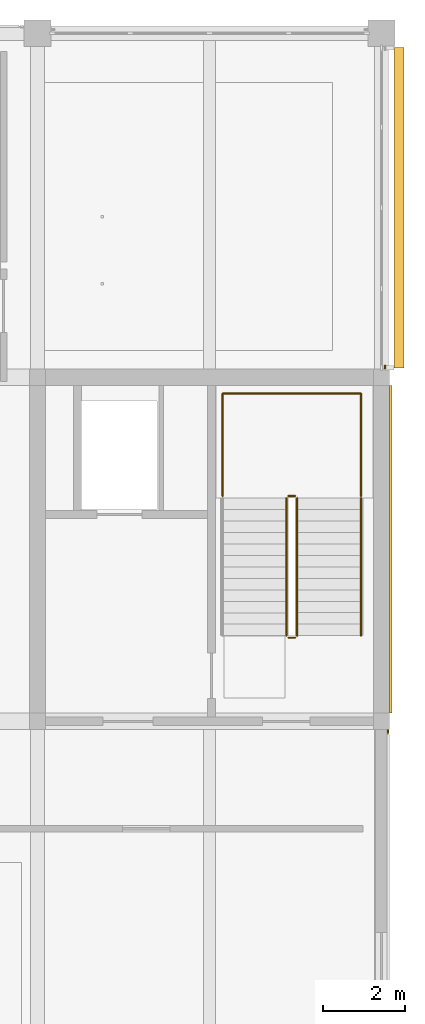
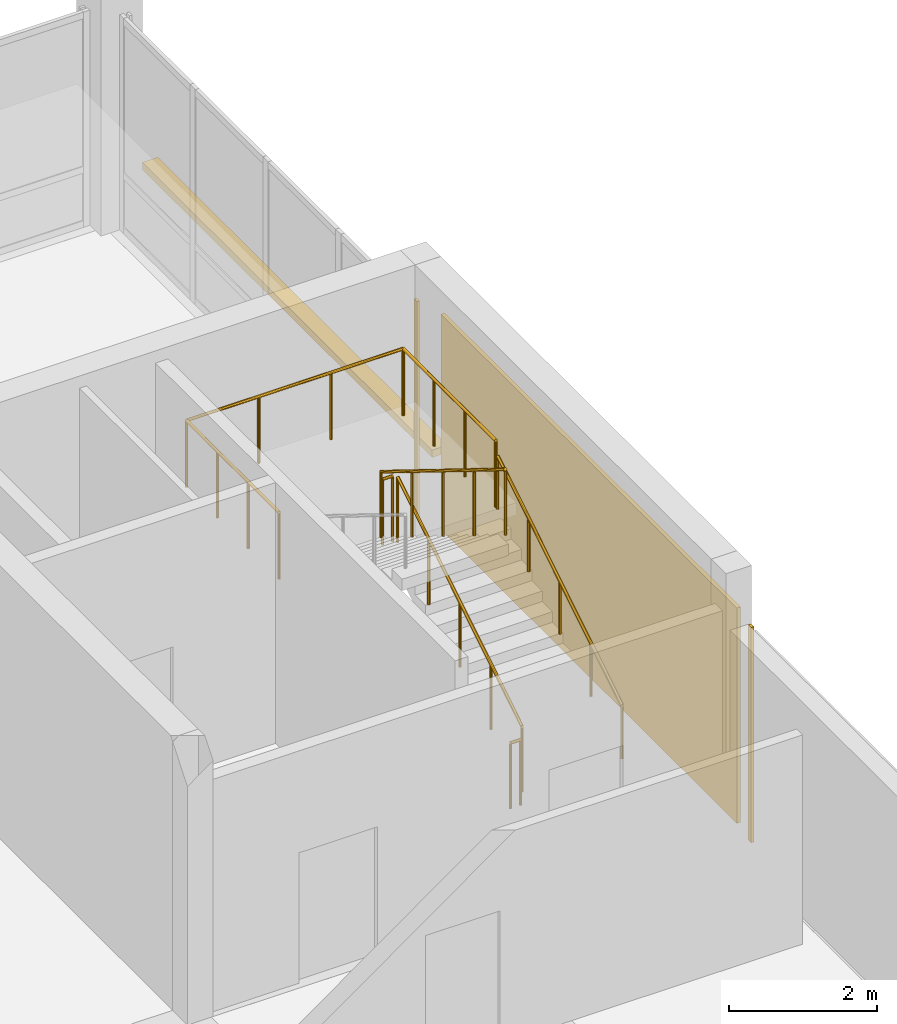
# One storey, part 25 of 28: 6 railings, 3 coverings, 1 shading device.
"""IFC4 building model written with IfcOpenShell, lengths in metres."""

from ifc_helpers import new_model, si_unit, direction, frame, origin, origin_2d, place, context, subcontext, project, spatial, rectangle, circle, extrude, material, layer, layer_set, type_object, element, save


model = new_model("IFC4")

# Units and contexts
model_context = context("Model", 3, precision=1e-05, world=origin(), true_north=direction((0.0, 1.0)))
body_context = subcontext(model_context, "Body", "Model", "MODEL_VIEW")
ifc_project = project(units=[si_unit("LENGTHUNIT", "METRE"), si_unit("AREAUNIT", "SQUARE_METRE"), si_unit("VOLUMEUNIT", "CUBIC_METRE"), si_unit("PLANEANGLEUNIT", "RADIAN"), si_unit("MASSUNIT", "GRAM", prefix="KILO")], contexts=[model_context])

# Site, building, storey
site_placement = place(None, origin())
site = spatial("IfcSite", under=ifc_project, at=site_placement, CompositionType="ELEMENT")
building_placement = place(site_placement, origin())
building = spatial("IfcBuilding", under=site, at=building_placement, Name="Telukmera Botanical Conservatory", CompositionType="ELEMENT")
storey_placement = place(building_placement, frame((0.0, 0.0, 51.0)))
storey = spatial("IfcBuildingStorey", under=building, at=storey_placement, Name="L11", CompositionType="ELEMENT", Elevation=51.0)

# Coverings
ifc_material_1 = material(Name="Granite-faced precast concrete C40/50", Category="masonry")
ifc_layer_1 = layer(ifc_material_1, 0.0400390625)
ifc_layer_set_1 = layer_set([ifc_layer_1], Name="Granite-faced precast concrete C40/50")
covering_type_1 = type_object("IfcCoveringType", Name="Granite Precast Column Pier Reveal Casing", PredefinedType="CLADDING", material=ifc_layer_set_1)
for number, where, z_axis, x_axis, name in (
    (1, (100.9599609375, 25.748046875, 0.0), (0.0, 0.0, 1.0), (0.0, 1.0, 0.0), "Granite Pier Reveal V4:L11:E2 R"),
    (2, (100.889892578125, 34.652099609375, 0.0), (0.0, 0.0, 1.0), (0.0, 1.0, 0.0), "Granite Pier Reveal V4:L11:E4 L"),
):
    element("IfcCovering", number, at=place(storey_placement, frame(where, z_axis=z_axis, x_axis=x_axis)), inside=storey, type_object=covering_type_1, Name=name, PredefinedType="CLADDING", context=body_context, shape_type="SweptSolid", body=[
        extrude(rectangle(XDim=0.080078125, YDim=0.0400390625, at=origin_2d()), origin(), (0.0, 0.0, 1.0), 3.550048828125),
    ])

# Shading device
ifc_material_2 = material(Name="Perforated terracotta-anodised aluminium 6063-T6", Category="masonry")
ifc_layer_2 = layer(ifc_material_2, 0.044921875)
ifc_layer_set_2 = layer_set([ifc_layer_2], Name="Perforated terracotta-anodised aluminium 6063-T6")
shading_device_type = type_object("IfcShadingDeviceType", Name="Perforated Terracotta Aluminium Monsoon Brise Soleil", PredefinedType="JALOUSIE", material=ifc_layer_set_2)
shading_device_placement = place(storey_placement, frame((101.22998046875, 38.53759765625, 0.889892578125), z_axis=(0.0, 0.0, 1.0), x_axis=(0.0, 1.0, 0.0)))
element("IfcShadingDevice", 3, at=shading_device_placement, inside=storey, type_object=shading_device_type, Name="Monsoon Shading BS01 V4:L11:E4", PredefinedType="JALOUSIE", context=body_context, shape_type="SweptSolid", body=[
    extrude(rectangle(XDim=7.8310546875, YDim=0.239990234375, at=origin_2d()), origin(), (0.0, 0.0, 1.0), 0.1201171875),
])

# Railings
ifc_material_3 = material(Name="Steel S355", Category="steel")
railing_type_1 = type_object("IfcRailingType", Name="RL-GUARD-1100", PredefinedType="GUARDRAIL", material=ifc_material_3)
railing_1_placement = place(storey_placement, frame((98.739990234375, 28.090087890625, 0.173095703125)))
element("IfcRailing", 4, at=railing_1_placement, inside=storey, type_object=railing_type_1, Name="L11 ST2 stair guard 1", PredefinedType="GUARDRAIL", context=body_context, shape_type="SweptSolid", body=[
    extrude(circle(Radius=0.02392578125, at=origin_2d()), frame((0.0, 0.0, 1.076171875), z_axis=(0.0, 0.850606129759, 0.525803396734), x_axis=(-1.0, 0.0, 0.0)), (0.0, 0.0, 1.0), 3.949951171875),
    extrude(circle(Radius=0.02099609375, at=origin_2d()), origin(), (0.0, 0.0, 1.0), 1.052001953125),
    extrude(circle(Radius=0.02099609375, at=origin_2d()), frame((0.0, 0.83984375, 0.519287109375)), (0.0, 0.0, 1.0), 1.052001953125),
    extrude(circle(Radius=0.02099609375, at=origin_2d()), frame((0.0, 1.679931640625, 1.03857421875)), (0.0, 0.0, 1.0), 1.052001953125),
    extrude(circle(Radius=0.02099609375, at=origin_2d()), frame((0.0, 2.52001953125, 1.5576171875)), (0.0, 0.0, 1.0), 1.052001953125),
    extrude(circle(Radius=0.02099609375, at=origin_2d()), frame((0.0, 3.35986328125, 2.076904296875)), (0.0, 0.0, 1.0), 1.052001953125),
])
railing_2_placement = place(storey_placement, frame((98.68994140625, 31.5, 2.25)))
element("IfcRailing", 5, at=railing_2_placement, inside=storey, type_object=railing_type_1, Name="L11 ST2 stair guard 2", PredefinedType="GUARDRAIL", context=body_context, shape_type="SweptSolid", body=[
    extrude(circle(Radius=0.02392578125, at=origin_2d()), frame((0.0, 0.0, 1.076171875), z_axis=(-1.0, 0.0, 0.0), x_axis=(0.0, -1.0, 0.0)), (0.0, 0.0, 1.0), 0.159912109375),
    extrude(circle(Radius=0.02099609375, at=origin_2d()), origin(), (0.0, 0.0, 1.0), 1.052001953125),
    extrude(circle(Radius=0.02099609375, at=origin_2d()), frame((-0.159912109375, 0.0, 0.0)), (0.0, 0.0, 1.0), 1.052001953125),
])
railing_3_placement = place(storey_placement, frame((98.47998046875, 31.449951171875, 2.423095703125)))
element("IfcRailing", 6, at=railing_3_placement, inside=storey, type_object=railing_type_1, Name="L11 ST2 stair guard 3", PredefinedType="GUARDRAIL", context=body_context, shape_type="SweptSolid", body=[
    extrude(circle(Radius=0.02392578125, at=origin_2d()), frame((0.0, 0.0, 1.076171875), z_axis=(0.0, -0.850606129759, 0.525803396734), x_axis=(1.0, 0.0, 0.0)), (0.0, 0.0, 1.0), 3.949951171875),
    extrude(circle(Radius=0.02099609375, at=origin_2d()), origin(), (0.0, 0.0, 1.0), 1.052001953125),
    extrude(circle(Radius=0.02099609375, at=origin_2d()), frame((0.0, -0.83984375, 0.519287109375)), (0.0, 0.0, 1.0), 1.052001953125),
    extrude(circle(Radius=0.02099609375, at=origin_2d()), frame((0.0, -1.679931640625, 1.03857421875)), (0.0, 0.0, 1.0), 1.052001953125),
    extrude(circle(Radius=0.02099609375, at=origin_2d()), frame((0.0, -2.52001953125, 1.5576171875)), (0.0, 0.0, 1.0), 1.052001953125),
    extrude(circle(Radius=0.02099609375, at=origin_2d()), frame((0.0, -3.35986328125, 2.076904296875)), (0.0, 0.0, 1.0), 1.052001953125),
])
railing_4_placement = place(storey_placement, frame((98.68994140625, 28.0400390625, 0.0)))
element("IfcRailing", 7, at=railing_4_placement, inside=storey, type_object=railing_type_1, Name="L11 ST2 stair guard 4", PredefinedType="GUARDRAIL", context=body_context, shape_type="SweptSolid", body=[
    extrude(circle(Radius=0.02392578125, at=origin_2d()), frame((0.0, 0.0, 1.076171875), z_axis=(-1.0, 0.0, 0.0), x_axis=(0.0, -1.0, 0.0)), (0.0, 0.0, 1.0), 0.159912109375),
    extrude(circle(Radius=0.02099609375, at=origin_2d()), origin(), (0.0, 0.0, 1.0), 1.052001953125),
    extrude(circle(Radius=0.02099609375, at=origin_2d()), frame((-0.159912109375, 0.0, 0.0)), (0.0, 0.0, 1.0), 1.052001953125),
])
railing_5_placement = place(storey_placement, frame((100.300048828125, 31.5, 2.25)))
element("IfcRailing", 8, at=railing_5_placement, inside=storey, type_object=railing_type_1, Name="L11 ST2 half-landing perimeter guard 1", PredefinedType="GUARDRAIL", context=body_context, shape_type="SweptSolid", body=[
    extrude(circle(Radius=0.02392578125, at=origin_2d()), frame((0.0, 0.0, 1.09619140625), z_axis=(0.0, 1.0, 0.0), x_axis=(-1.0, 0.0, 0.0)), (0.0, 0.0, 1.0), 2.5),
    extrude(circle(Radius=0.02392578125, at=origin_2d()), frame((0.0, 2.5, 1.09619140625), z_axis=(-1.0, 0.0, 0.0), x_axis=(0.0, -1.0, 0.0)), (0.0, 0.0, 1.0), 3.380126953125),
    extrude(circle(Radius=0.02392578125, at=origin_2d()), frame((-3.380126953125, 2.5, 1.09619140625), z_axis=(0.0, -1.0, 0.0), x_axis=(1.0, 0.0, 0.0)), (0.0, 0.0, 1.0), 2.5),
    extrude(circle(Radius=0.02099609375, at=origin_2d()), origin(), (0.0, 0.0, 1.0), 1.072021484375),
    extrude(circle(Radius=0.02099609375, at=origin_2d()), frame((0.0, 0.833251953125, 0.0)), (0.0, 0.0, 1.0), 1.072021484375),
    extrude(circle(Radius=0.02099609375, at=origin_2d()), frame((0.0, 1.666748046875, 0.0)), (0.0, 0.0, 1.0), 1.072021484375),
    extrude(circle(Radius=0.02099609375, at=origin_2d()), frame((0.0, 2.5, 0.0)), (0.0, 0.0, 1.0), 1.072021484375),
    extrude(circle(Radius=0.02099609375, at=origin_2d()), frame((-1.126708984375, 2.5, 0.0)), (0.0, 0.0, 1.0), 1.072021484375),
    extrude(circle(Radius=0.02099609375, at=origin_2d()), frame((-2.25341796875, 2.5, 0.0)), (0.0, 0.0, 1.0), 1.072021484375),
    extrude(circle(Radius=0.02099609375, at=origin_2d()), frame((-3.380126953125, 2.5, 0.0)), (0.0, 0.0, 1.0), 1.072021484375),
    extrude(circle(Radius=0.02099609375, at=origin_2d()), frame((-3.380126953125, 1.666748046875, 0.0)), (0.0, 0.0, 1.0), 1.072021484375),
    extrude(circle(Radius=0.02099609375, at=origin_2d()), frame((-3.380126953125, 0.833251953125, 0.0)), (0.0, 0.0, 1.0), 1.072021484375),
    extrude(circle(Radius=0.02099609375, at=origin_2d()), frame((-3.380126953125, 0.0, 0.0)), (0.0, 0.0, 1.0), 1.072021484375),
])
ifc_material_4 = material(Name="Stainless steel 316", Category="steel")
railing_type_2 = type_object("IfcRailingType", Name="RL-HAND-900", PredefinedType="HANDRAIL", material=ifc_material_4)
railing_6_placement = place(storey_placement, frame((100.300048828125, 28.090087890625, 0.173095703125)))
element("IfcRailing", 9, at=railing_6_placement, inside=storey, type_object=railing_type_2, Name="L11 ST2 stair handrail 1", PredefinedType="HANDRAIL", context=body_context, shape_type="SweptSolid", body=[
    extrude(circle(Radius=0.02392578125, at=origin_2d()), frame((0.0, 0.0, 0.8759765625), z_axis=(0.0, 0.850606129759, 0.525803396734), x_axis=(-1.0, 0.0, 0.0)), (0.0, 0.0, 1.0), 3.949951171875),
    extrude(circle(Radius=0.02099609375, at=origin_2d()), origin(), (0.0, 0.0, 1.0), 0.851806640625),
    extrude(circle(Radius=0.02099609375, at=origin_2d()), frame((0.0, 0.83984375, 0.519287109375)), (0.0, 0.0, 1.0), 0.851806640625),
    extrude(circle(Radius=0.02099609375, at=origin_2d()), frame((0.0, 1.679931640625, 1.03857421875)), (0.0, 0.0, 1.0), 0.851806640625),
    extrude(circle(Radius=0.02099609375, at=origin_2d()), frame((0.0, 2.52001953125, 1.5576171875)), (0.0, 0.0, 1.0), 0.851806640625),
    extrude(circle(Radius=0.02099609375, at=origin_2d()), frame((0.0, 3.35986328125, 2.076904296875)), (0.0, 0.0, 1.0), 0.851806640625),
])

# Covering
ifc_material_5 = material(Name="Terracotta-faced precast concrete C40/50", Category="masonry")
ifc_layer_3 = layer(ifc_material_5, 0.06005859375)
ifc_layer_set_3 = layer_set([ifc_layer_3], Name="Terracotta-faced precast concrete C40/50")
covering_type_2 = type_object("IfcCoveringType", Name="Terracotta Core Perimeter Cladding Panel", PredefinedType="CLADDING", material=ifc_layer_set_3)
covering_placement = place(storey_placement, frame((101.030029296875, 30.199951171875, 0.0), z_axis=(0.0, 0.0, 1.0), x_axis=(0.0, 1.0, 0.0)))
element("IfcCovering", 10, at=covering_placement, inside=storey, type_object=covering_type_2, Name="Core Perimeter Terracotta Cladding V4:L11:E3", PredefinedType="CLADDING", context=body_context, shape_type="SweptSolid", body=[
    extrude(rectangle(XDim=7.99609375, YDim=0.06005859375, at=origin_2d()), origin(), (0.0, 0.0, 1.0), 3.550048828125),
])

save(model, "model.ifc")
